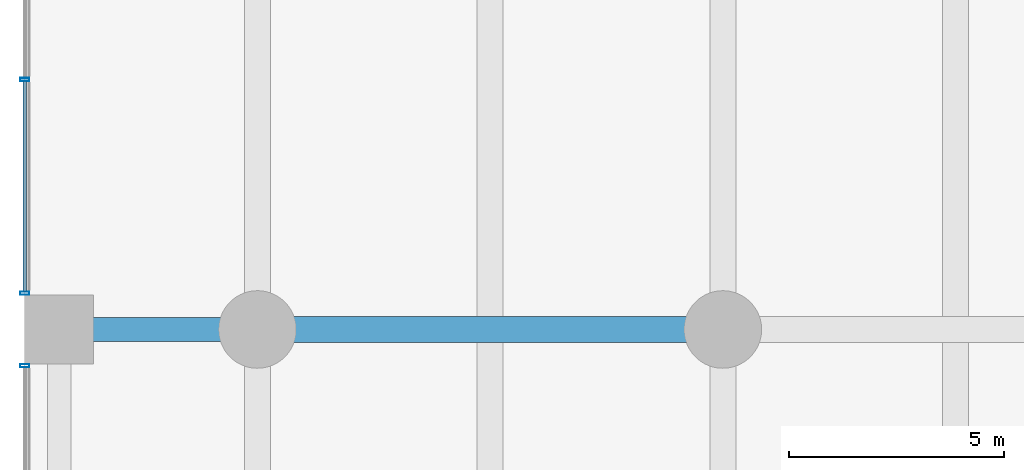
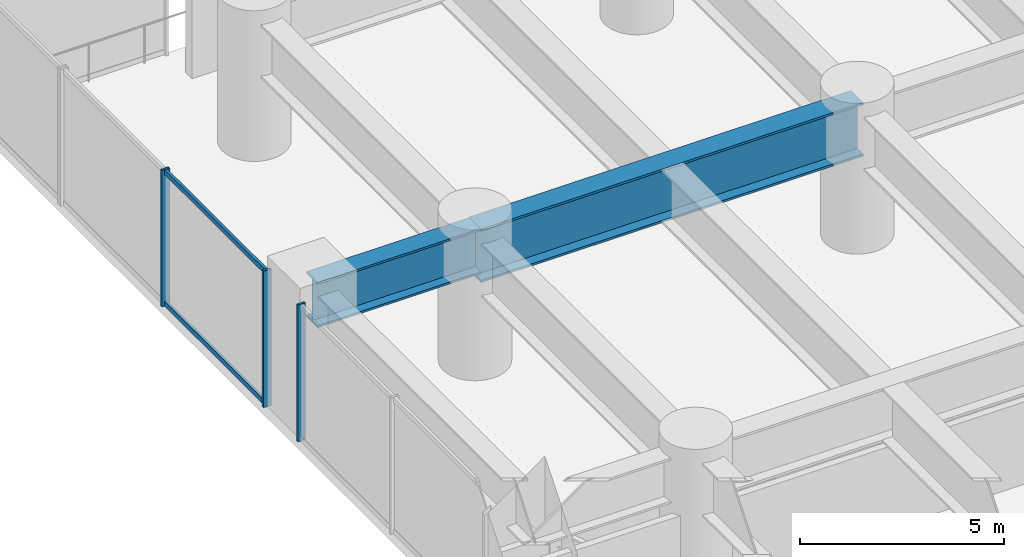
# One storey, part 11 of 37: 5 members, 2 beams, 2 elements without a shape of their own.
"""IFC4 building model written with IfcOpenShell, lengths in metres."""

from ifc_helpers import new_model, si_unit, direction, frame, origin, origin_2d, place, context, subcontext, project, spatial, hollow_rectangle, i_section, extrude, material, layer, layer_set, material_profile, profile_set, type_object, element, aggregate, save


model = new_model("IFC4")

# Units and contexts
model_context = context("Model", 3, precision=1e-05, world=origin(), true_north=direction((0.0, 1.0)))
body_context = subcontext(model_context, "Body", "Model", "MODEL_VIEW")
ifc_project = project(units=[si_unit("LENGTHUNIT", "METRE"), si_unit("AREAUNIT", "SQUARE_METRE"), si_unit("VOLUMEUNIT", "CUBIC_METRE"), si_unit("PLANEANGLEUNIT", "RADIAN"), si_unit("MASSUNIT", "GRAM", prefix="KILO")], contexts=[model_context])

# Site, building, storey
site_placement = place(None, origin())
site = spatial("IfcSite", under=ifc_project, at=site_placement, CompositionType="ELEMENT")
building_placement = place(site_placement, origin())
building = spatial("IfcBuilding", under=site, at=building_placement, Name="Surkhivell Harbour Commons", CompositionType="ELEMENT")
storey_placement = place(building_placement, frame((0.0, 0.0, 18.0)))
storey = spatial("IfcBuildingStorey", under=building, at=storey_placement, Name="L04", CompositionType="ELEMENT", Elevation=18.0)

# Beams
ifc_material_1 = material(Name="Steel S460", Category="steel")
ifc_material_profile_1 = material_profile(ifc_material_1, i_section(OverallWidth=0.550048828125, OverallDepth=1.35009765625, WebThickness=0.031982421875, FlangeThickness=0.06005859375, at=origin_2d()), Name="WPG1350x550x248")
ifc_profile_set_1 = profile_set([ifc_material_profile_1], Name="Steel S460")
beam_type_1 = type_object("IfcBeamType", Name="BM-TRF-1350", PredefinedType="BEAM", material=ifc_profile_set_1)
beam_1_placement = place(storey_placement, frame((-37.0, 10.800048828125, 3.405029296875), z_axis=(1.0, 0.0, 0.0), x_axis=(0.0, 1.0, 0.0)))
element("IfcBeam", 1, at=beam_1_placement, inside=storey, type_object=beam_type_1, Name="L04 Transfer Girder (-37.0,10.8)", PredefinedType="BEAM", context=body_context, shape_type="SweptSolid", body=[
    extrude(i_section(OverallWidth=0.550048828125, OverallDepth=1.35009765625, WebThickness=0.031982421875, FlangeThickness=0.06005859375, at=origin_2d()), origin(), (0.0, 0.0, 1.0), 4.60009765625),
])
ifc_material_profile_2 = material_profile(ifc_material_1, i_section(OverallWidth=0.60009765625, OverallDepth=1.60009765625, WebThickness=0.035888671875, FlangeThickness=0.06494140625, at=origin_2d()), Name="WPG1600x600x296")
ifc_profile_set_2 = profile_set([ifc_material_profile_2], Name="Steel S460")
beam_type_2 = type_object("IfcBeamType", Name="BM-TRF-1600", PredefinedType="BEAM", material=ifc_profile_set_2)
beam_2_placement = place(storey_placement, frame((-32.39990234375, 10.800048828125, 3.280029296875), z_axis=(1.0, 0.0, 0.0), x_axis=(0.0, 1.0, 0.0)))
element("IfcBeam", 2, at=beam_2_placement, inside=storey, type_object=beam_type_2, Name="L04 Transfer Girder (-32.4,10.8)", PredefinedType="BEAM", context=body_context, shape_type="SweptSolid", body=[
    extrude(i_section(OverallWidth=0.60009765625, OverallDepth=1.60009765625, WebThickness=0.035888671875, FlangeThickness=0.06494140625, at=origin_2d()), origin(), (0.0, 0.0, 1.0), 10.7998046875),
])

# Curtain wall, member
ifc_material_2 = material(Name="Anodised pale-metal aluminium and insulated glazing", Category="aluminium")
ifc_layer = layer(ifc_material_2, 0.239990234375)
ifc_layer_set = layer_set([ifc_layer], Name="Anodised pale-metal aluminium and insulated glazing")
curtain_wall_type = type_object("IfcCurtainWallType", Name="CW-SYS-POD", PredefinedType="NOTDEFINED", material=ifc_layer_set)
curtain_wall_1_placement = place(storey_placement, origin())
curtain_wall_1 = element("IfcCurtainWall", 3, at=curtain_wall_1_placement, inside=storey, type_object=curtain_wall_type, Name="L04 Curtain Wall CW-L04-W4", PredefinedType="NOTDEFINED")
ifc_material_3 = material(Name="Anodised pale-metal aluminium alloy 6063-T6", Category="aluminium")
ifc_material_profile_3 = material_profile(ifc_material_3, hollow_rectangle(XDim=0.074951171875, YDim=0.219970703125, WallThickness=0.00390625, at=origin_2d()), Name="ALU-MULL-75x220")
ifc_profile_set_3 = profile_set([ifc_material_profile_3], Name="Anodised pale-metal aluminium alloy 6063-T6")
member_type_1 = type_object("IfcMemberType", Name="CWM-220", PredefinedType="MULLION", material=ifc_profile_set_3)
member_1_placement = place(storey_placement, frame((-37.800048828125, 9.96044921875, 0.0), z_axis=(0.0, 0.0, 1.0), x_axis=(0.0, 1.0, 0.0)))
member_1 = element("IfcMember", 4, at=member_1_placement, type_object=member_type_1, Name="CW-POD mullion 3", PredefinedType="MULLION", context=body_context, shape_type="SweptSolid", body=[
    extrude(hollow_rectangle(XDim=0.074951171875, YDim=0.219970703125, WallThickness=0.00390625, at=origin_2d()), origin(), (0.0, 0.0, 1.0), 4.080078125),
])
aggregate(curtain_wall_1, [member_1])

# Curtain wall, members
curtain_wall_2_placement = place(storey_placement, origin())
curtain_wall_2 = element("IfcCurtainWall", 5, at=curtain_wall_2_placement, inside=storey, type_object=curtain_wall_type, Name="L04 Curtain Wall CW-L04-W5", PredefinedType="NOTDEFINED")
member_2_placement = place(storey_placement, frame((-37.800048828125, 11.639404296875, 0.0), z_axis=(0.0, 0.0, 1.0), x_axis=(0.0, 1.0, 0.0)))
member_2 = element("IfcMember", 6, at=member_2_placement, type_object=member_type_1, Name="CW-POD mullion 1", PredefinedType="MULLION", context=body_context, shape_type="SweptSolid", body=[
    extrude(hollow_rectangle(XDim=0.074951171875, YDim=0.219970703125, WallThickness=0.00390625, at=origin_2d()), origin(), (0.0, 0.0, 1.0), 4.080078125),
])
member_3_placement = place(storey_placement, frame((-37.800048828125, 16.60107421875, 0.0), z_axis=(0.0, 0.0, 1.0), x_axis=(0.0, 1.0, 0.0)))
member_3 = element("IfcMember", 7, at=member_3_placement, type_object=member_type_1, Name="CW-POD mullion 2", PredefinedType="MULLION", context=body_context, shape_type="SweptSolid", body=[
    extrude(hollow_rectangle(XDim=0.074951171875, YDim=0.219970703125, WallThickness=0.00390625, at=origin_2d()), origin(), (0.0, 0.0, 1.0), 4.080078125),
])
ifc_material_profile_4 = material_profile(ifc_material_3, hollow_rectangle(XDim=0.074951171875, YDim=0.14990234375, WallThickness=0.00341796875, at=origin_2d()), Name="ALU-TRAN-75x150")
ifc_profile_set_4 = profile_set([ifc_material_profile_4], Name="Anodised pale-metal aluminium alloy 6063-T6")
member_type_2 = type_object("IfcMemberType", Name="CWT-150", PredefinedType="USERDEFINED", material=ifc_profile_set_4)
member_4_placement = place(storey_placement, frame((-37.800048828125, 11.677001953125, 0.074951171875), z_axis=(0.0, 1.0, 0.0), x_axis=(-1.0, 0.0, 0.0)))
member_4 = element("IfcMember", 8, at=member_4_placement, type_object=member_type_2, Name="CW-POD transom 1.1", ObjectType="TRANSOM", PredefinedType="USERDEFINED", context=body_context, shape_type="SweptSolid", body=[
    extrude(hollow_rectangle(XDim=0.074951171875, YDim=0.14990234375, WallThickness=0.00341796875, at=origin_2d()), origin(), (0.0, 0.0, 1.0), 4.886474609375),
])
member_5_placement = place(storey_placement, frame((-37.800048828125, 11.677001953125, 4.0048828125), z_axis=(0.0, 1.0, 0.0), x_axis=(-1.0, 0.0, 0.0)))
member_5 = element("IfcMember", 9, at=member_5_placement, type_object=member_type_2, Name="CW-POD transom 1.2", ObjectType="TRANSOM", PredefinedType="USERDEFINED", context=body_context, shape_type="SweptSolid", body=[
    extrude(hollow_rectangle(XDim=0.074951171875, YDim=0.14990234375, WallThickness=0.00341796875, at=origin_2d()), origin(), (0.0, 0.0, 1.0), 4.886474609375),
])
aggregate(curtain_wall_2, [member_2, member_3, member_4, member_5])

save(model, "model.ifc")
